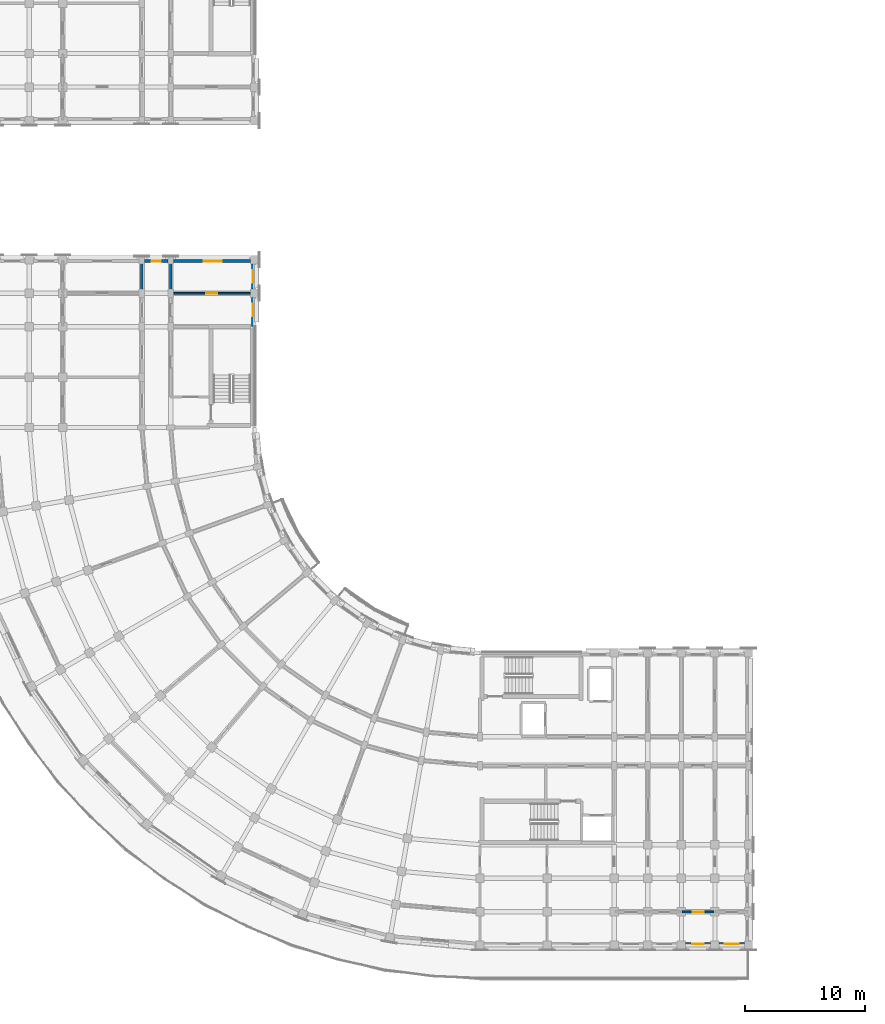
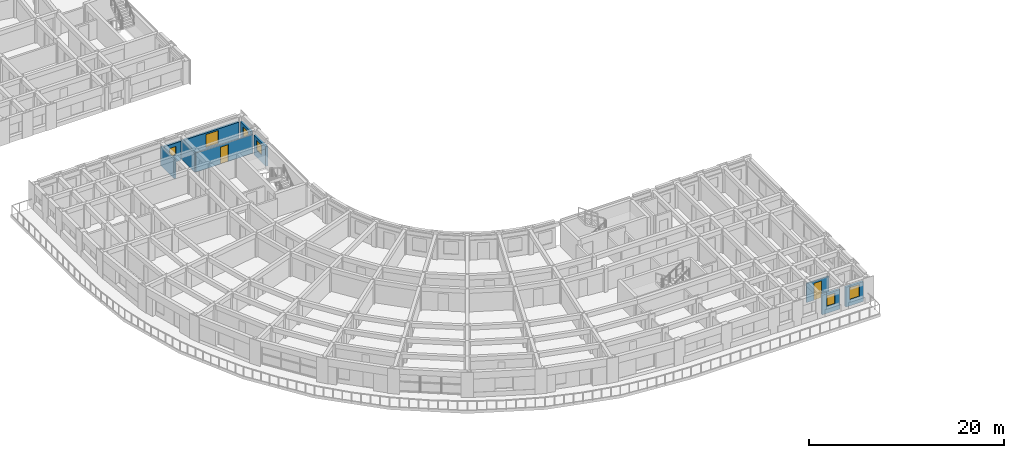
# One storey, part 22 of 57: 10 walls, 6 windows, 2 doors, 8 openings.
"""IFC4 building model written with IfcOpenShell, lengths in metres."""

from ifc_helpers import new_model, si_unit, direction, frame, frame_2d, origin, place, context, subcontext, project, spatial, rectangle, extrude, material, layer, layer_set, type_object, element, fill, save


model = new_model("IFC4")

# Units and contexts
model_context = context("Model", 3, precision=1e-05, world=origin(), true_north=direction((0.0, 1.0)))
body_context = subcontext(model_context, "Body", "Model", "MODEL_VIEW")
ifc_project = project(units=[si_unit("LENGTHUNIT", "METRE"), si_unit("AREAUNIT", "SQUARE_METRE"), si_unit("VOLUMEUNIT", "CUBIC_METRE"), si_unit("PLANEANGLEUNIT", "RADIAN"), si_unit("MASSUNIT", "GRAM", prefix="KILO")], contexts=[model_context])

# Site, building, storey
site_placement = place(None, origin())
site = spatial("IfcSite", under=ifc_project, at=site_placement, CompositionType="ELEMENT")
building_placement = place(site_placement, origin())
building = spatial("IfcBuilding", under=site, at=building_placement, Name="Kiranvali Square Residences", CompositionType="ELEMENT")
storey_placement = place(building_placement, frame((0.0, 0.0, 21.300048828125)))
storey = spatial("IfcBuildingStorey", under=building, at=storey_placement, Name="L06", CompositionType="ELEMENT", Elevation=21.300048828125)

# Walls
ifc_material_1 = material(Name="Autoclaved aerated concrete blockwork masonry", Category="masonry")
ifc_layer_1 = layer(ifc_material_1, 0.199951171875)
ifc_layer_set_1 = layer_set([ifc_layer_1], Name="Autoclaved aerated concrete blockwork masonry")
wall_type_1 = type_object("IfcWallType", Name="WL-COR-200", PredefinedType="STANDARD", material=ifc_layer_set_1)
for number, where, z_axis, x_axis, name in (
    (1, (22.39990234375, 59.39990234375, 0.0), (0.0, 0.0, 1.0), (0.0, 1.0, 0.0), "L06 architectural wall WL-L06-C-A2CI-1"),
    (2, (20.0, 59.39990234375, 0.0), (0.0, 0.0, 1.0), (0.0, 1.0, 0.0), "L06 architectural wall WL-L06-C-A2CO-1"),
):
    element("IfcWall", number, at=place(storey_placement, frame(where, z_axis=z_axis, x_axis=x_axis)), inside=storey, type_object=wall_type_1, Name=name, PredefinedType="STANDARD", context=body_context, shape_type="SweptSolid", body=[
        extrude(rectangle(XDim=2.800048828125, YDim=0.199951171875, at=frame_2d((1.39990234375, 0.0))), origin(), (0.0, 0.0, 1.0), 2.3720703125),
    ])

# Wall, opening, window
ifc_material_2 = material(Name="Breathable lime-rendered clay brick masonry", Category="masonry")
ifc_layer_2 = layer(ifc_material_2, 0.25)
ifc_layer_set_2 = layer_set([ifc_layer_2], Name="Breathable lime-rendered clay brick masonry")
wall_type_2 = type_object("IfcWallType", Name="WL-EXT-250", PredefinedType="STANDARD", material=ifc_layer_set_2)
wall_1_placement = place(storey_placement, frame((65.353515625, 5.125, 0.0), z_axis=(0.0, 0.0, 1.0), x_axis=(1.0, 0.0, 0.0)))
wall_1 = element("IfcWall", 3, at=wall_1_placement, inside=storey, type_object=wall_type_2, Name="L06 exterior wall C-L06-A1O-4", PredefinedType="STANDARD", context=body_context, shape_type="SweptSolid", body=[
    extrude(rectangle(XDim=2.093017578125, YDim=0.25, at=frame_2d((1.04638671875, 0.0))), origin(), (0.0, 0.0, 1.0), 2.47998046875),
])
opening_1_placement = place(wall_1_placement, frame((0.571533203125, 0.0, 0.8798828125)))
opening_1 = element("IfcOpeningElement", 4, at=opening_1_placement, cuts=wall_1, Name="Opening W-16", PredefinedType="OPENING", context=body_context, shape_type="SweptSolid", body=[
    extrude(rectangle(XDim=0.949951171875, YDim=1.35009765625, at=frame_2d((0.47509765625, 0.675048828125))), frame((0.0, 0.135009765625, 0.0), z_axis=(0.0, -1.0, 0.0), x_axis=(1.0, 0.0, 0.0)), (0.0, 0.0, 1.0), 0.27001953125),
])
ifc_material_3 = material(Name="Solar-control low-e double glazing", Category="glass")
window_type_1 = type_object("IfcWindowType", Name="WIN-RES-950x1350", PartitioningType="SINGLE_PANEL", PredefinedType="WINDOW", material=ifc_material_3)
window_1_placement = place(opening_1_placement, origin())
window_1 = element("IfcWindow", 5, at=window_1_placement, inside=storey, type_object=window_type_1, Name="L06 recessed window C-L06-A1O-4", OverallHeight=1.35009765625, OverallWidth=0.949951171875, PartitioningType="SINGLE_PANEL", PredefinedType="WINDOW", context=body_context, shape_type="SweptSolid", body=[
    extrude(rectangle(XDim=0.949951171875, YDim=1.35009765625, at=frame_2d((0.47509765625, 0.675048828125))), frame((0.0, 0.030029296875, 0.0), z_axis=(0.0, -1.0, 0.0), x_axis=(1.0, 0.0, 0.0)), (0.0, 0.0, 1.0), 0.06005859375),
])
fill(opening_1, window_1)

wall_2_placement = place(storey_placement, frame((68.153564453125, 5.125, 0.0), z_axis=(0.0, 0.0, 1.0), x_axis=(1.0, 0.0, 0.0)))
wall_2 = element("IfcWall", 6, at=wall_2_placement, inside=storey, type_object=wall_type_2, Name="L06 exterior wall C-L06-A1O-5", PredefinedType="STANDARD", context=body_context, shape_type="SweptSolid", body=[
    extrude(rectangle(XDim=2.093017578125, YDim=0.25, at=frame_2d((1.04638671875, 0.0))), origin(), (0.0, 0.0, 1.0), 2.47998046875),
])
opening_2_placement = place(wall_2_placement, frame((0.446533203125, 0.0, 0.780029296875)))
opening_2 = element("IfcOpeningElement", 7, at=opening_2_placement, cuts=wall_2, Name="Opening W-06", PredefinedType="OPENING", context=body_context, shape_type="SweptSolid", body=[
    extrude(rectangle(XDim=1.199951171875, YDim=1.5, at=frame_2d((0.60009765625, 0.75))), frame((0.0, 0.135009765625, 0.0), z_axis=(0.0, -1.0, 0.0), x_axis=(1.0, 0.0, 0.0)), (0.0, 0.0, 1.0), 0.27001953125),
])
window_type_2 = type_object("IfcWindowType", Name="WIN-RES-1200x1500", PartitioningType="SINGLE_PANEL", PredefinedType="WINDOW", material=ifc_material_3)
window_2_placement = place(opening_2_placement, origin())
window_2 = element("IfcWindow", 8, at=window_2_placement, inside=storey, type_object=window_type_2, Name="L06 recessed window C-L06-A1O-5", OverallHeight=1.5, OverallWidth=1.199951171875, PartitioningType="SINGLE_PANEL", PredefinedType="WINDOW", context=body_context, shape_type="SweptSolid", body=[
    extrude(rectangle(XDim=1.199951171875, YDim=1.5, at=frame_2d((0.60009765625, 0.75))), frame((0.0, 0.030029296875, 0.0), z_axis=(0.0, -1.0, 0.0), x_axis=(1.0, 0.0, 0.0)), (0.0, 0.0, 1.0), 0.06005859375),
])
fill(opening_2, window_2)

wall_3_placement = place(storey_placement, frame((29.27490234375, 56.62841796875, 0.0), z_axis=(0.0, 0.0, 1.0), x_axis=(0.0, 1.0, 0.0)))
wall_3 = element("IfcWall", 9, at=wall_3_placement, inside=storey, type_object=wall_type_2, Name="L06 exterior wall C-L06-A2I-0", PredefinedType="STANDARD", context=body_context, shape_type="SweptSolid", body=[
    extrude(rectangle(XDim=2.41796875, YDim=0.25, at=frame_2d((1.208984375, 0.0))), origin(), (0.0, 0.0, 1.0), 2.471923828125),
])
opening_3_placement = place(wall_3_placement, frame((0.846435546875, 0.0, 0.8798828125)))
opening_3 = element("IfcOpeningElement", 10, at=opening_3_placement, cuts=wall_3, Name="Opening W-24", PredefinedType="OPENING", context=body_context, shape_type="SweptSolid", body=[
    extrude(rectangle(XDim=1.050048828125, YDim=1.25, at=frame_2d((0.52490234375, 0.625))), frame((0.0, 0.135009765625, 0.0), z_axis=(0.0, -1.0, 0.0), x_axis=(1.0, 0.0, 0.0)), (0.0, 0.0, 1.0), 0.27001953125),
])
window_type_3 = type_object("IfcWindowType", Name="WIN-COR-1050x1250", PartitioningType="SINGLE_PANEL", PredefinedType="WINDOW", material=ifc_material_3)
window_3_placement = place(opening_3_placement, origin())
window_3 = element("IfcWindow", 11, at=window_3_placement, inside=storey, type_object=window_type_3, Name="L06 recessed window C-L06-A2I-0", OverallHeight=1.25, OverallWidth=1.050048828125, PartitioningType="SINGLE_PANEL", PredefinedType="WINDOW", context=body_context, shape_type="SweptSolid", body=[
    extrude(rectangle(XDim=1.050048828125, YDim=1.25, at=frame_2d((0.52490234375, 0.625))), frame((0.0, 0.030029296875, 0.0), z_axis=(0.0, -1.0, 0.0), x_axis=(1.0, 0.0, 0.0)), (0.0, 0.0, 1.0), 0.06005859375),
])
fill(opening_3, window_3)

wall_4_placement = place(storey_placement, frame((29.27490234375, 59.75341796875, 0.0), z_axis=(0.0, 0.0, 1.0), x_axis=(0.0, 1.0, 0.0)))
wall_4 = element("IfcWall", 12, at=wall_4_placement, inside=storey, type_object=wall_type_2, Name="L06 exterior wall C-L06-A2I-1", PredefinedType="STANDARD", context=body_context, shape_type="SweptSolid", body=[
    extrude(rectangle(XDim=2.093017578125, YDim=0.25, at=frame_2d((1.04638671875, 0.0))), origin(), (0.0, 0.0, 1.0), 2.471923828125),
])
opening_4_placement = place(wall_4_placement, frame((0.521484375, 0.0, 0.8798828125)))
opening_4 = element("IfcOpeningElement", 13, at=opening_4_placement, cuts=wall_4, Name="Opening W-24", PredefinedType="OPENING", context=body_context, shape_type="SweptSolid", body=[
    extrude(rectangle(XDim=1.050048828125, YDim=1.25, at=frame_2d((0.52490234375, 0.625))), frame((0.0, 0.135009765625, 0.0), z_axis=(0.0, -1.0, 0.0), x_axis=(1.0, 0.0, 0.0)), (0.0, 0.0, 1.0), 0.27001953125),
])
window_4_placement = place(opening_4_placement, origin())
window_4 = element("IfcWindow", 14, at=window_4_placement, inside=storey, type_object=window_type_3, Name="L06 recessed window C-L06-A2I-1", OverallHeight=1.25, OverallWidth=1.050048828125, PartitioningType="SINGLE_PANEL", PredefinedType="WINDOW", context=body_context, shape_type="SweptSolid", body=[
    extrude(rectangle(XDim=1.050048828125, YDim=1.25, at=frame_2d((0.52490234375, 0.625))), frame((0.0, 0.030029296875, 0.0), z_axis=(0.0, -1.0, 0.0), x_axis=(1.0, 0.0, 0.0)), (0.0, 0.0, 1.0), 0.06005859375),
])
fill(opening_4, window_4)

wall_5_placement = place(storey_placement, frame((29.04638671875, 62.074951171875, 0.0), z_axis=(0.0, 0.0, 1.0), x_axis=(-1.0, 0.0, 0.0)))
wall_5 = element("IfcWall", 15, at=wall_5_placement, inside=storey, type_object=wall_type_2, Name="L06 exterior wall C-L06-A2END-0", PredefinedType="STANDARD", context=body_context, shape_type="SweptSolid", body=[
    extrude(rectangle(XDim=6.41796875, YDim=0.25, at=frame_2d((3.208984375, 0.0))), origin(), (0.0, 0.0, 1.0), 2.3720703125),
])
opening_5_placement = place(wall_5_placement, frame((2.396484375, 0.0, 0.52197265625)))
opening_5 = element("IfcOpeningElement", 16, at=opening_5_placement, cuts=wall_5, Name="Opening W-05", PredefinedType="OPENING", context=body_context, shape_type="SweptSolid", body=[
    extrude(rectangle(XDim=1.5, YDim=1.64990234375, at=frame_2d((0.75, 0.824951171875))), frame((0.0, 0.135009765625, 0.0), z_axis=(0.0, -1.0, 0.0), x_axis=(1.0, 0.0, 0.0)), (0.0, 0.0, 1.0), 0.27001953125),
])
window_type_4 = type_object("IfcWindowType", Name="WIN-RES-1500x1650", PartitioningType="DOUBLE_PANEL_VERTICAL", PredefinedType="WINDOW", material=ifc_material_3)
window_5_placement = place(opening_5_placement, origin())
window_5 = element("IfcWindow", 17, at=window_5_placement, inside=storey, type_object=window_type_4, Name="L06 recessed window C-L06-A2END-0", OverallHeight=1.64990234375, OverallWidth=1.5, PartitioningType="DOUBLE_PANEL_VERTICAL", PredefinedType="WINDOW", context=body_context, shape_type="SweptSolid", body=[
    extrude(rectangle(XDim=1.5, YDim=1.64990234375, at=frame_2d((0.75, 0.824951171875))), frame((0.0, 0.030029296875, 0.0), z_axis=(0.0, -1.0, 0.0), x_axis=(1.0, 0.0, 0.0)), (0.0, 0.0, 1.0), 0.06005859375),
])
fill(opening_5, window_5)

wall_6_placement = place(storey_placement, frame((22.17138671875, 62.074951171875, 0.0), z_axis=(0.0, 0.0, 1.0), x_axis=(-1.0, 0.0, 0.0)))
wall_6 = element("IfcWall", 18, at=wall_6_placement, inside=storey, type_object=wall_type_2, Name="L06 exterior wall C-L06-A2END-1", PredefinedType="STANDARD", context=body_context, shape_type="SweptSolid", body=[
    extrude(rectangle(XDim=1.94287109375, YDim=0.25, at=frame_2d((0.971435546875, 0.0))), origin(), (0.0, 0.0, 1.0), 2.3720703125),
])
opening_6_placement = place(wall_6_placement, frame((0.596435546875, 0.0, 0.8798828125)))
opening_6 = element("IfcOpeningElement", 19, at=opening_6_placement, cuts=wall_6, Name="Opening W-07", PredefinedType="OPENING", context=body_context, shape_type="SweptSolid", body=[
    extrude(rectangle(XDim=0.75, YDim=1.050048828125, at=frame_2d((0.375, 0.52490234375))), frame((0.0, 0.135009765625, 0.0), z_axis=(0.0, -1.0, 0.0), x_axis=(1.0, 0.0, 0.0)), (0.0, 0.0, 1.0), 0.27001953125),
])
window_type_5 = type_object("IfcWindowType", Name="WIN-WET-750x1050", PartitioningType="SINGLE_PANEL", PredefinedType="WINDOW", material=ifc_material_3)
window_6_placement = place(opening_6_placement, origin())
window_6 = element("IfcWindow", 20, at=window_6_placement, inside=storey, type_object=window_type_5, Name="L06 recessed window C-L06-A2END-1", OverallHeight=1.050048828125, OverallWidth=0.75, PartitioningType="SINGLE_PANEL", PredefinedType="WINDOW", context=body_context, shape_type="SweptSolid", body=[
    extrude(rectangle(XDim=0.75, YDim=1.050048828125, at=frame_2d((0.375, 0.52490234375))), frame((0.0, 0.030029296875, 0.0), z_axis=(0.0, -1.0, 0.0), x_axis=(1.0, 0.0, 0.0)), (0.0, 0.0, 1.0), 0.06005859375),
])
fill(opening_6, window_6)

# Wall, opening, door
ifc_material_4 = material(Name="Acoustic gypsum board drylined partition", Category="gypsum")
ifc_layer_3 = layer(ifc_material_4, 0.14990234375)
ifc_layer_set_3 = layer_set([ifc_layer_3], Name="Acoustic gypsum board drylined partition")
wall_type_3 = type_object("IfcWallType", Name="WL-PRT-150", PredefinedType="PARTITIONING", material=ifc_layer_set_3)
wall_7_placement = place(storey_placement, frame((29.199951171875, 59.39990234375, 0.0), z_axis=(0.0, 0.0, 1.0), x_axis=(-1.0, 0.0, 0.0)))
wall_7 = element("IfcWall", 21, at=wall_7_placement, inside=storey, type_object=wall_type_3, Name="L06 architectural wall WL-L06-C-A2TI-1", PredefinedType="PARTITIONING", context=body_context, shape_type="SweptSolid", body=[
    extrude(rectangle(XDim=6.75, YDim=0.14990234375, at=frame_2d((3.375, 0.0))), origin(), (0.0, 0.0, 1.0), 2.3720703125),
])
opening_7_placement = place(wall_7_placement, frame((2.925048828125, 0.0, 0.0)))
opening_7 = element("IfcOpeningElement", 22, at=opening_7_placement, cuts=wall_7, Name="Opening ID-1", PredefinedType="OPENING", context=body_context, shape_type="SweptSolid", body=[
    extrude(rectangle(XDim=0.89990234375, YDim=2.10009765625, at=frame_2d((0.449951171875, 1.050048828125))), frame((0.0, 0.0849609375, 0.0), z_axis=(0.0, -1.0, 0.0), x_axis=(1.0, 0.0, 0.0)), (0.0, 0.0, 1.0), 0.169921875),
])
ifc_material_5 = material(Name="Solid seasoned teak hardwood joinery", Category="wood")
door_type = type_object("IfcDoorType", Name="DR-INT-900", OperationType="NOTDEFINED", PredefinedType="DOOR", material=ifc_material_5)
door_1_placement = place(opening_7_placement, frame((0.89990234375, 0.0, 0.0), z_axis=(0.0, 0.0, 1.0), x_axis=(-1.0, 0.0, 0.0)))
door_1 = element("IfcDoor", 23, at=door_1_placement, inside=storey, type_object=door_type, Name="L06 door DR-L06-2138 (DR-INT-900)", OperationType="SINGLE_SWING_RIGHT", OverallHeight=2.10009765625, OverallWidth=0.89990234375, PredefinedType="DOOR", context=body_context, shape_type="SweptSolid", body=[
    extrude(rectangle(XDim=0.89990234375, YDim=2.10009765625, at=frame_2d((0.449951171875, 1.050048828125))), frame((0.0, 0.02490234375, 0.0), z_axis=(0.0, -1.0, 0.0), x_axis=(1.0, 0.0, 0.0)), (0.0, 0.0, 1.0), 0.050048828125),
])
fill(opening_7, door_1)

ifc_layer_4 = layer(ifc_material_1, 0.159912109375)
ifc_layer_set_4 = layer_set([ifc_layer_4], Name="Autoclaved aerated concrete blockwork masonry")
wall_type_4 = type_object("IfcWallType", Name="WL-WET-160", PredefinedType="PLUMBINGWALL", material=ifc_layer_set_4)
wall_8_placement = place(storey_placement, frame((65.080078125, 7.800048828125, 0.0), z_axis=(0.0, 0.0, 1.0), x_axis=(1.0, 0.0, 0.0)))
wall_8 = element("IfcWall", 24, at=wall_8_placement, inside=storey, type_object=wall_type_4, Name="L06 architectural wall WL-L06-C-A1SP-2", PredefinedType="PLUMBINGWALL", context=body_context, shape_type="SweptSolid", body=[
    extrude(rectangle(XDim=2.639892578125, YDim=0.159912109375, at=frame_2d((1.31982421875, 0.0))), origin(), (0.0, 0.0, 1.0), 2.3720703125),
])
opening_8_placement = place(wall_8_placement, frame((0.8701171875, 0.0, 0.0)))
opening_8 = element("IfcOpeningElement", 25, at=opening_8_placement, cuts=wall_8, Name="Opening ID-1", PredefinedType="OPENING", context=body_context, shape_type="SweptSolid", body=[
    extrude(rectangle(XDim=0.89990234375, YDim=2.10009765625, at=frame_2d((0.449951171875, 1.050048828125))), frame((0.0, 0.08984375, 0.0), z_axis=(0.0, -1.0, 0.0), x_axis=(1.0, 0.0, 0.0)), (0.0, 0.0, 1.0), 0.179931640625),
])
door_2_placement = place(opening_8_placement, origin())
door_2 = element("IfcDoor", 26, at=door_2_placement, inside=storey, type_object=door_type, Name="L06 door DR-L06-2101 (DR-INT-900)", OperationType="SINGLE_SWING_LEFT", OverallHeight=2.10009765625, OverallWidth=0.89990234375, PredefinedType="DOOR", context=body_context, shape_type="SweptSolid", body=[
    extrude(rectangle(XDim=0.89990234375, YDim=2.10009765625, at=frame_2d((0.449951171875, 1.050048828125))), frame((0.0, 0.02490234375, 0.0), z_axis=(0.0, -1.0, 0.0), x_axis=(1.0, 0.0, 0.0)), (0.0, 0.0, 1.0), 0.050048828125),
])
fill(opening_8, door_2)

save(model, "model.ifc")
